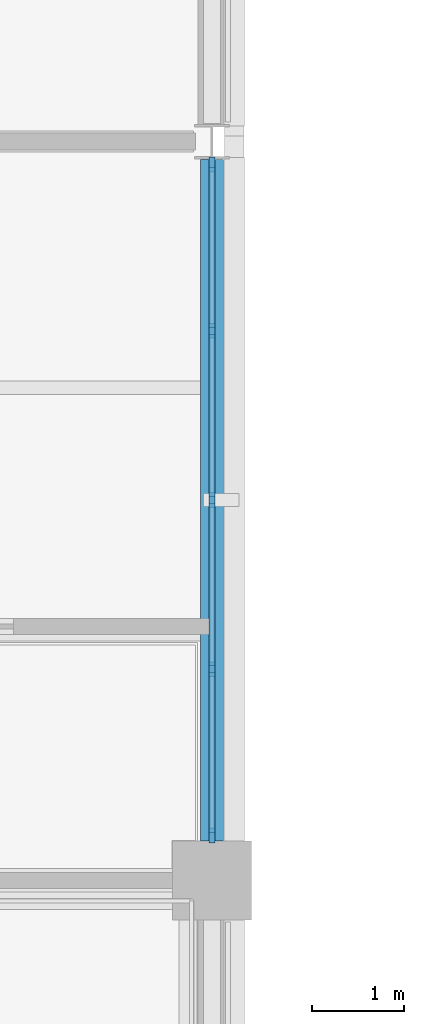
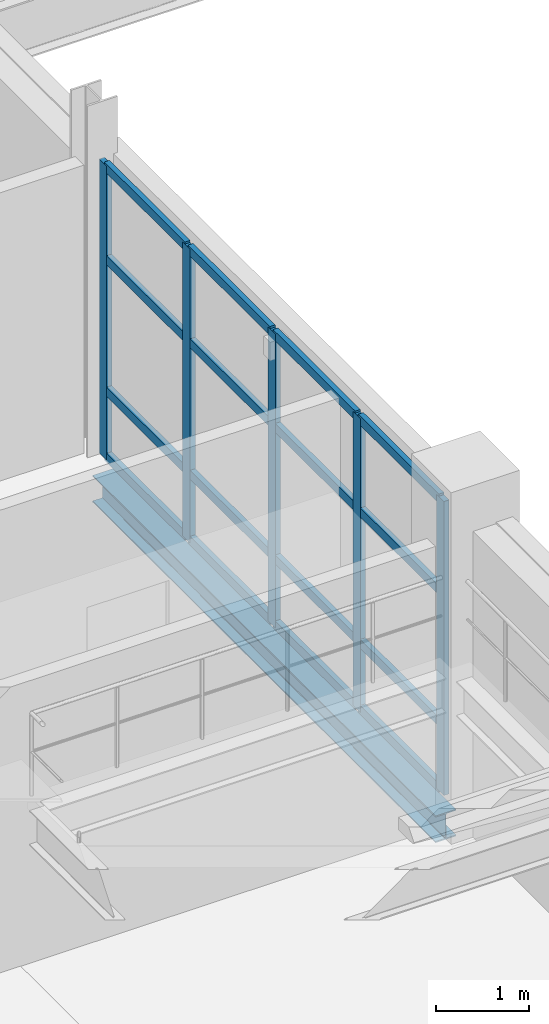
# One storey, part 23 of 121: 21 members, 1 beam, 1 element without a shape of its own.
"""IFC4 building model written with IfcOpenShell, lengths in metres."""

from ifc_helpers import new_model, si_unit, derived_unit, direction, frame, origin, origin_2d, place, context, subcontext, project, spatial, rectangle, i_section, extrude, material, layer, layer_set, material_profile, profile_set, type_object, element, aggregate, save


model = new_model("IFC4")

# Units and contexts
model_context = context("Model", 3, precision=1e-05, world=origin(), true_north=direction((0.0, 1.0)))
body_context = subcontext(model_context, "Body", "Model", "MODEL_VIEW")
ifc_project = project(units=[si_unit("LENGTHUNIT", "METRE"), si_unit("AREAUNIT", "SQUARE_METRE"), si_unit("VOLUMEUNIT", "CUBIC_METRE"), si_unit("PLANEANGLEUNIT", "RADIAN"), si_unit("MASSUNIT", "GRAM", prefix="KILO"), derived_unit("THERMALTRANSMITTANCEUNIT", [(si_unit("MASSUNIT", "GRAM", prefix="KILO"), 1), (si_unit("TIMEUNIT", "SECOND"), -3), (si_unit("THERMODYNAMICTEMPERATUREUNIT", "KELVIN"), -1)])], contexts=[model_context])

# Site, building, storey
site_placement = place(None, origin())
site = spatial("IfcSite", under=ifc_project, at=site_placement, CompositionType="ELEMENT")
building_placement = place(site_placement, origin())
building = spatial("IfcBuilding", under=site, at=building_placement, Name="Veyamyaing Civic Hall", CompositionType="ELEMENT")
storey_placement = place(building_placement, frame((0.0, 0.0, 5.280029296875)))
storey = spatial("IfcBuildingStorey", under=building, at=storey_placement, Name="L01", CompositionType="ELEMENT", Elevation=5.280029296875)

# Beam
ifc_material_1 = material(Name="Steel ASTM A992", Category="steel")
ifc_material_profile_1 = material_profile(ifc_material_1, i_section(OverallWidth=0.25390625, OverallDepth=0.35302734375, WebThickness=0.009521484375, FlangeThickness=0.016357421875, FilletRadius=0.011962890625, at=origin_2d()), Name="W360X91")
ifc_profile_set_1 = profile_set([ifc_material_profile_1], Name="Steel ASTM A992")
beam_type = type_object("IfcBeamType", Name="B-20", PredefinedType="SPANDREL", material=ifc_profile_set_1)
beam_placement = place(storey_placement, frame((80.0, 24.425048828125, -0.421630859375), z_axis=(0.0, 1.0, 0.0), x_axis=(-1.0, 0.0, 0.0)))
element("IfcBeam", 1, at=beam_placement, inside=storey, type_object=beam_type, Name="Girder B-20 L01 Grid 11 D-E", PredefinedType="SPANDREL", context=body_context, shape_type="SweptSolid", body=[
    extrude(i_section(OverallWidth=0.25390625, OverallDepth=0.35302734375, WebThickness=0.009521484375, FlangeThickness=0.016357421875, FilletRadius=0.011962890625, at=origin_2d()), origin(), (0.0, 0.0, 1.0), 7.38134765625),
])

# Curtain wall, members
ifc_material_2 = material(Name="Anodised aluminium 6063-T6", Category="aluminium")
ifc_layer = layer(ifc_material_2, 0.159912109375, Name="Anodised aluminium 6063-T6")
ifc_layer_set = layer_set([ifc_layer], Name="Anodised aluminium 6063-T6")
curtain_wall_type = type_object("IfcCurtainWallType", Name="CW-02", PredefinedType="NOTDEFINED", material=ifc_layer_set)
curtain_wall_placement = place(storey_placement, origin())
curtain_wall = element("IfcCurtainWall", 2, at=curtain_wall_placement, inside=storey, type_object=curtain_wall_type, Name="Unitized curtain wall CW-02 L01 E 10.4", PredefinedType="NOTDEFINED")
ifc_material_profile_2 = material_profile(ifc_material_2, rectangle(XDim=0.06494140625, YDim=0.159912109375, at=origin_2d()), Name="ALU-MUL-65X160")
ifc_profile_set_2 = profile_set([ifc_material_profile_2], Name="Anodised aluminium 6063-T6")
member_type_1 = type_object("IfcMemberType", Name="CWM-01", PredefinedType="MULLION", material=ifc_profile_set_2)
member_1_placement = place(storey_placement, frame((80.0, 24.487548828125, 0.0), z_axis=(0.0, 0.0, 1.0), x_axis=(-1.0, 0.0, 0.0)))
member_1 = element("IfcMember", 3, at=member_1_placement, type_object=member_type_1, Name="CW-02 mullion 1", PredefinedType="MULLION", context=body_context, shape_type="SweptSolid", body=[
    extrude(rectangle(XDim=0.06494140625, YDim=0.159912109375, at=origin_2d()), origin(), (0.0, 0.0, 1.0), 3.864013671875),
])
member_2_placement = place(storey_placement, frame((80.0, 26.287353515625, 0.0), z_axis=(0.0, 0.0, 1.0), x_axis=(-1.0, 0.0, 0.0)))
member_2 = element("IfcMember", 4, at=member_2_placement, type_object=member_type_1, Name="CW-02 mullion 2", PredefinedType="MULLION", context=body_context, shape_type="SweptSolid", body=[
    extrude(rectangle(XDim=0.06494140625, YDim=0.159912109375, at=origin_2d()), origin(), (0.0, 0.0, 1.0), 3.864013671875),
])
member_3_placement = place(storey_placement, frame((80.0, 28.119384765625, 0.0), z_axis=(0.0, 0.0, 1.0), x_axis=(-1.0, 0.0, 0.0)))
member_3 = element("IfcMember", 5, at=member_3_placement, type_object=member_type_1, Name="CW-02 mullion 3", PredefinedType="MULLION", context=body_context, shape_type="SweptSolid", body=[
    extrude(rectangle(XDim=0.06494140625, YDim=0.159912109375, at=origin_2d()), origin(), (0.0, 0.0, 1.0), 3.864013671875),
])
member_4_placement = place(storey_placement, frame((80.0, 29.95166015625, 0.0), z_axis=(0.0, 0.0, 1.0), x_axis=(-1.0, 0.0, 0.0)))
member_4 = element("IfcMember", 6, at=member_4_placement, type_object=member_type_1, Name="CW-02 mullion 4", PredefinedType="MULLION", context=body_context, shape_type="SweptSolid", body=[
    extrude(rectangle(XDim=0.06494140625, YDim=0.159912109375, at=origin_2d()), origin(), (0.0, 0.0, 1.0), 3.864013671875),
])
member_5_placement = place(storey_placement, frame((80.0, 31.75146484375, 0.0), z_axis=(0.0, 0.0, 1.0), x_axis=(-1.0, 0.0, 0.0)))
member_5 = element("IfcMember", 7, at=member_5_placement, type_object=member_type_1, Name="CW-02 mullion 5", PredefinedType="MULLION", context=body_context, shape_type="SweptSolid", body=[
    extrude(rectangle(XDim=0.06494140625, YDim=0.159912109375, at=origin_2d()), origin(), (0.0, 0.0, 1.0), 3.864013671875),
])
ifc_material_profile_3 = material_profile(ifc_material_2, rectangle(XDim=0.06494140625, YDim=0.1201171875, at=origin_2d()), Name="ALU-TRN-65X120")
ifc_profile_set_3 = profile_set([ifc_material_profile_3], Name="Anodised aluminium 6063-T6")
member_type_2 = type_object("IfcMemberType", Name="CWT-01", PredefinedType="USERDEFINED", material=ifc_profile_set_3)
member_6_placement = place(storey_placement, frame((80.0, 24.52001953125, 0.032470703125), z_axis=(0.0, 1.0, 0.0), x_axis=(-1.0, 0.0, 0.0)))
member_6 = element("IfcMember", 8, at=member_6_placement, type_object=member_type_2, Name="CW-02 transom 1.1", ObjectType="TRANSOM", PredefinedType="USERDEFINED", context=body_context, shape_type="SweptSolid", body=[
    extrude(rectangle(XDim=0.06494140625, YDim=0.1201171875, at=origin_2d()), origin(), (0.0, 0.0, 1.0), 1.734619140625),
])
member_7_placement = place(storey_placement, frame((80.0, 24.52001953125, 0.89990234375), z_axis=(0.0, 1.0, 0.0), x_axis=(-1.0, 0.0, 0.0)))
member_7 = element("IfcMember", 9, at=member_7_placement, type_object=member_type_2, Name="CW-02 transom 1.2", ObjectType="TRANSOM", PredefinedType="USERDEFINED", context=body_context, shape_type="SweptSolid", body=[
    extrude(rectangle(XDim=0.06494140625, YDim=0.1201171875, at=origin_2d()), origin(), (0.0, 0.0, 1.0), 1.734619140625),
])
member_8_placement = place(storey_placement, frame((80.0, 24.52001953125, 2.62744140625), z_axis=(0.0, 1.0, 0.0), x_axis=(-1.0, 0.0, 0.0)))
member_8 = element("IfcMember", 10, at=member_8_placement, type_object=member_type_2, Name="CW-02 transom 1.3", ObjectType="TRANSOM", PredefinedType="USERDEFINED", context=body_context, shape_type="SweptSolid", body=[
    extrude(rectangle(XDim=0.06494140625, YDim=0.1201171875, at=origin_2d()), origin(), (0.0, 0.0, 1.0), 1.734619140625),
])
member_9_placement = place(storey_placement, frame((80.0, 24.52001953125, 3.83154296875), z_axis=(0.0, 1.0, 0.0), x_axis=(-1.0, 0.0, 0.0)))
member_9 = element("IfcMember", 11, at=member_9_placement, type_object=member_type_2, Name="CW-02 transom 1.4", ObjectType="TRANSOM", PredefinedType="USERDEFINED", context=body_context, shape_type="SweptSolid", body=[
    extrude(rectangle(XDim=0.06494140625, YDim=0.1201171875, at=origin_2d()), origin(), (0.0, 0.0, 1.0), 1.734619140625),
])
member_10_placement = place(storey_placement, frame((80.0, 26.31982421875, 0.032470703125), z_axis=(0.0, 1.0, 0.0), x_axis=(-1.0, 0.0, 0.0)))
member_10 = element("IfcMember", 12, at=member_10_placement, type_object=member_type_2, Name="CW-02 transom 2.1", ObjectType="TRANSOM", PredefinedType="USERDEFINED", context=body_context, shape_type="SweptSolid", body=[
    extrude(rectangle(XDim=0.06494140625, YDim=0.1201171875, at=origin_2d()), origin(), (0.0, 0.0, 1.0), 1.76708984375),
])
member_11_placement = place(storey_placement, frame((80.0, 26.31982421875, 0.89990234375), z_axis=(0.0, 1.0, 0.0), x_axis=(-1.0, 0.0, 0.0)))
member_11 = element("IfcMember", 13, at=member_11_placement, type_object=member_type_2, Name="CW-02 transom 2.2", ObjectType="TRANSOM", PredefinedType="USERDEFINED", context=body_context, shape_type="SweptSolid", body=[
    extrude(rectangle(XDim=0.06494140625, YDim=0.1201171875, at=origin_2d()), origin(), (0.0, 0.0, 1.0), 1.76708984375),
])
member_12_placement = place(storey_placement, frame((80.0, 26.31982421875, 2.62744140625), z_axis=(0.0, 1.0, 0.0), x_axis=(-1.0, 0.0, 0.0)))
member_12 = element("IfcMember", 14, at=member_12_placement, type_object=member_type_2, Name="CW-02 transom 2.3", ObjectType="TRANSOM", PredefinedType="USERDEFINED", context=body_context, shape_type="SweptSolid", body=[
    extrude(rectangle(XDim=0.06494140625, YDim=0.1201171875, at=origin_2d()), origin(), (0.0, 0.0, 1.0), 1.76708984375),
])
member_13_placement = place(storey_placement, frame((80.0, 26.31982421875, 3.83154296875), z_axis=(0.0, 1.0, 0.0), x_axis=(-1.0, 0.0, 0.0)))
member_13 = element("IfcMember", 15, at=member_13_placement, type_object=member_type_2, Name="CW-02 transom 2.4", ObjectType="TRANSOM", PredefinedType="USERDEFINED", context=body_context, shape_type="SweptSolid", body=[
    extrude(rectangle(XDim=0.06494140625, YDim=0.1201171875, at=origin_2d()), origin(), (0.0, 0.0, 1.0), 1.76708984375),
])
member_14_placement = place(storey_placement, frame((80.0, 28.152099609375, 0.032470703125), z_axis=(0.0, 1.0, 0.0), x_axis=(-1.0, 0.0, 0.0)))
member_14 = element("IfcMember", 16, at=member_14_placement, type_object=member_type_2, Name="CW-02 transom 3.1", ObjectType="TRANSOM", PredefinedType="USERDEFINED", context=body_context, shape_type="SweptSolid", body=[
    extrude(rectangle(XDim=0.06494140625, YDim=0.1201171875, at=origin_2d()), origin(), (0.0, 0.0, 1.0), 1.76708984375),
])
member_15_placement = place(storey_placement, frame((80.0, 28.152099609375, 0.89990234375), z_axis=(0.0, 1.0, 0.0), x_axis=(-1.0, 0.0, 0.0)))
member_15 = element("IfcMember", 17, at=member_15_placement, type_object=member_type_2, Name="CW-02 transom 3.2", ObjectType="TRANSOM", PredefinedType="USERDEFINED", context=body_context, shape_type="SweptSolid", body=[
    extrude(rectangle(XDim=0.06494140625, YDim=0.1201171875, at=origin_2d()), origin(), (0.0, 0.0, 1.0), 1.76708984375),
])
member_16_placement = place(storey_placement, frame((80.0, 28.152099609375, 2.62744140625), z_axis=(0.0, 1.0, 0.0), x_axis=(-1.0, 0.0, 0.0)))
member_16 = element("IfcMember", 18, at=member_16_placement, type_object=member_type_2, Name="CW-02 transom 3.3", ObjectType="TRANSOM", PredefinedType="USERDEFINED", context=body_context, shape_type="SweptSolid", body=[
    extrude(rectangle(XDim=0.06494140625, YDim=0.1201171875, at=origin_2d()), origin(), (0.0, 0.0, 1.0), 1.76708984375),
])
member_17_placement = place(storey_placement, frame((80.0, 28.152099609375, 3.83154296875), z_axis=(0.0, 1.0, 0.0), x_axis=(-1.0, 0.0, 0.0)))
member_17 = element("IfcMember", 19, at=member_17_placement, type_object=member_type_2, Name="CW-02 transom 3.4", ObjectType="TRANSOM", PredefinedType="USERDEFINED", context=body_context, shape_type="SweptSolid", body=[
    extrude(rectangle(XDim=0.06494140625, YDim=0.1201171875, at=origin_2d()), origin(), (0.0, 0.0, 1.0), 1.76708984375),
])
member_18_placement = place(storey_placement, frame((80.0, 29.984130859375, 0.032470703125), z_axis=(0.0, 1.0, 0.0), x_axis=(-1.0, 0.0, 0.0)))
member_18 = element("IfcMember", 20, at=member_18_placement, type_object=member_type_2, Name="CW-02 transom 4.1", ObjectType="TRANSOM", PredefinedType="USERDEFINED", context=body_context, shape_type="SweptSolid", body=[
    extrude(rectangle(XDim=0.06494140625, YDim=0.1201171875, at=origin_2d()), origin(), (0.0, 0.0, 1.0), 1.73486328125),
])
member_19_placement = place(storey_placement, frame((80.0, 29.984130859375, 0.89990234375), z_axis=(0.0, 1.0, 0.0), x_axis=(-1.0, 0.0, 0.0)))
member_19 = element("IfcMember", 21, at=member_19_placement, type_object=member_type_2, Name="CW-02 transom 4.2", ObjectType="TRANSOM", PredefinedType="USERDEFINED", context=body_context, shape_type="SweptSolid", body=[
    extrude(rectangle(XDim=0.06494140625, YDim=0.1201171875, at=origin_2d()), origin(), (0.0, 0.0, 1.0), 1.73486328125),
])
member_20_placement = place(storey_placement, frame((80.0, 29.984130859375, 2.62744140625), z_axis=(0.0, 1.0, 0.0), x_axis=(-1.0, 0.0, 0.0)))
member_20 = element("IfcMember", 22, at=member_20_placement, type_object=member_type_2, Name="CW-02 transom 4.3", ObjectType="TRANSOM", PredefinedType="USERDEFINED", context=body_context, shape_type="SweptSolid", body=[
    extrude(rectangle(XDim=0.06494140625, YDim=0.1201171875, at=origin_2d()), origin(), (0.0, 0.0, 1.0), 1.73486328125),
])
member_21_placement = place(storey_placement, frame((80.0, 29.984130859375, 3.83154296875), z_axis=(0.0, 1.0, 0.0), x_axis=(-1.0, 0.0, 0.0)))
member_21 = element("IfcMember", 23, at=member_21_placement, type_object=member_type_2, Name="CW-02 transom 4.4", ObjectType="TRANSOM", PredefinedType="USERDEFINED", context=body_context, shape_type="SweptSolid", body=[
    extrude(rectangle(XDim=0.06494140625, YDim=0.1201171875, at=origin_2d()), origin(), (0.0, 0.0, 1.0), 1.73486328125),
])
aggregate(curtain_wall, [member_1, member_2, member_3, member_4, member_5, member_6, member_7, member_8, member_9, member_10, member_11, member_12, member_13, member_14, member_15, member_16, member_17, member_18, member_19, member_20, member_21])

save(model, "model.ifc")
